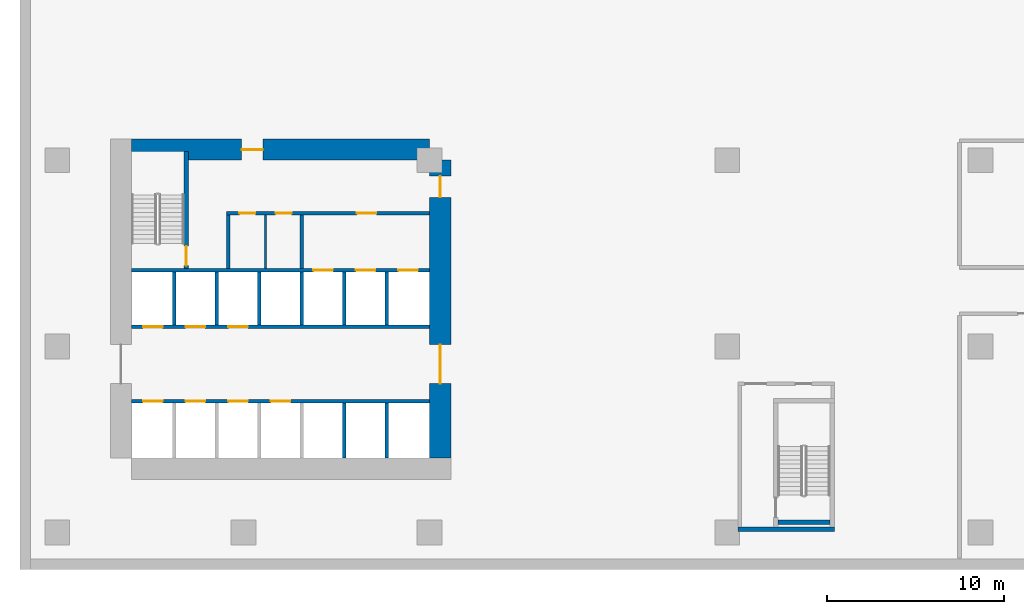
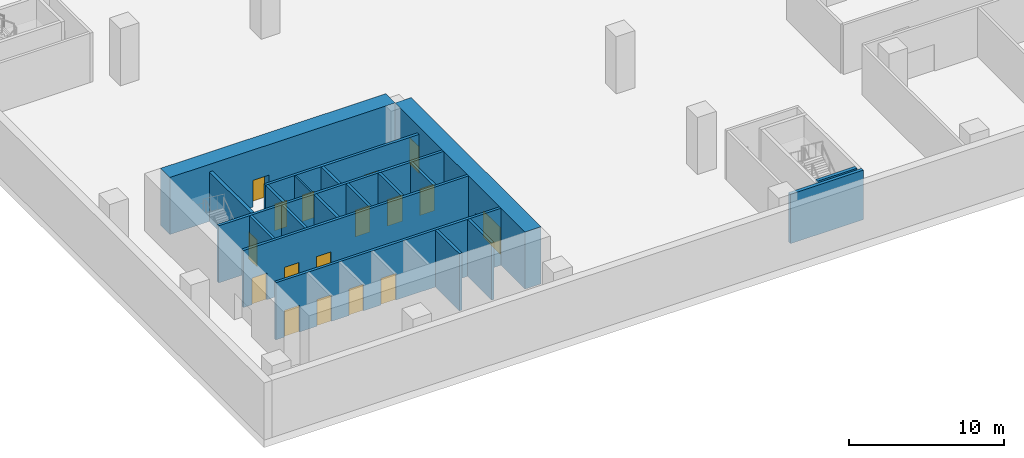
# One storey, part 2 of 12: 20 walls, 17 doors, 17 openings.
"""IFC4 building model written with IfcOpenShell, lengths in metres."""

from ifc_helpers import new_model, si_unit, direction, frame, frame_2d, origin, place, context, subcontext, project, spatial, rectangle, extrude, source, transform, mapped, material, layer, layer_set, type_object, element, fill, save


model = new_model("IFC4")

# Units and contexts
model_context = context("Model", 3, precision=1e-05, world=origin(), true_north=direction((0.0, 1.0)))
body_context = subcontext(model_context, "Body", "Model", "MODEL_VIEW")
ifc_project = project(units=[si_unit("LENGTHUNIT", "METRE"), si_unit("AREAUNIT", "SQUARE_METRE"), si_unit("VOLUMEUNIT", "CUBIC_METRE"), si_unit("PLANEANGLEUNIT", "RADIAN"), si_unit("MASSUNIT", "GRAM", prefix="KILO")], contexts=[model_context])

# Site, building, storey
site_placement = place(None, origin())
site = spatial("IfcSite", under=ifc_project, at=site_placement, CompositionType="ELEMENT")
building_placement = place(site_placement, origin())
building = spatial("IfcBuilding", under=site, at=building_placement, Name="Aurelian Terraces", CompositionType="ELEMENT")
storey_placement = place(building_placement, frame((0.0, 0.0, -9.0)))
storey = spatial("IfcBuildingStorey", under=building, at=storey_placement, Name="B2", CompositionType="ELEMENT", Elevation=-9.0)

# Wall, openings, doors
ifc_material_1 = material(Name="Concrete fc' 83 MPa", Category="concrete")
ifc_layer_1 = layer(ifc_material_1, 1.2)
ifc_layer_set_1 = layer_set([ifc_layer_1], Name="CORE WALL 1200 FC83")
wall_type_1 = type_object("IfcWallType", Name="CORE WALL 1200 FC83", PredefinedType="SHEAR", material=ifc_layer_set_1)
shared_shape_1 = source(origin(), body_context, "Body", "SweptSolid", [
    extrude(rectangle(XDim=16.8, YDim=1.2, at=frame_2d((8.4, 0.0))), origin(), (0.0, 0.0, 1.0), 4.5),
])
wall_1_placement = place(storey_placement, frame((21.6, 4.2, 0.0), z_axis=(0.0, 0.0, 1.0), x_axis=(0.0, 1.0, 0.0)))
wall_1 = element("IfcWall", 1, at=wall_1_placement, inside=storey, type_object=wall_type_1, Name="Core wall E B2", PredefinedType="SHEAR", context=body_context, shape_type="MappedRepresentation", body=[
    mapped(shared_shape_1, transform((0.0, 0.0, 0.0), scale=1.0)),
])
shared_shape_2 = source(origin(), body_context, "Body", "SweptSolid", [
    extrude(rectangle(XDim=2.2, YDim=2.1, at=frame_2d((1.1, 1.05))), frame((0.0, 0.61, 0.0), z_axis=(0.0, -1.0, 0.0), x_axis=(1.0, 0.0, 0.0)), (0.0, 0.0, 1.0), 1.22),
])
opening_1_placement = place(wall_1_placement, frame((4.2, 0.0, 0.0)))
opening_1 = element("IfcOpeningElement", 2, at=opening_1_placement, cuts=wall_1, Name="Opening 60120", PredefinedType="OPENING", context=body_context, shape_type="MappedRepresentation", body=[
    mapped(shared_shape_2, transform((0.0, 0.0, 0.0), scale=1.0)),
])
shared_shape_3 = source(origin(), body_context, "Body", "SweptSolid", [
    extrude(rectangle(XDim=1.2, YDim=2.1, at=frame_2d((0.6, 1.05))), frame((0.0, 0.61, 0.0), z_axis=(0.0, -1.0, 0.0), x_axis=(1.0, 0.0, 0.0)), (0.0, 0.0, 1.0), 1.22),
])
opening_2_placement = place(wall_1_placement, frame((14.7, 0.0, 0.0)))
opening_2 = element("IfcOpeningElement", 3, at=opening_2_placement, cuts=wall_1, Name="Opening 60123", PredefinedType="OPENING", context=body_context, shape_type="MappedRepresentation", body=[
    mapped(shared_shape_3, transform((0.0, 0.0, 0.0), scale=1.0)),
])
ifc_material_2 = material(Name="Steel door leaf", Category="steel")
door_type_1 = type_object("IfcDoorType", Name="Core fire door 1200x2100", OperationType="SINGLE_SWING_LEFT", PredefinedType="DOOR", material=ifc_material_2)
shared_shape_4 = source(origin(), body_context, "Body", "SweptSolid", [
    extrude(rectangle(XDim=1.2, YDim=2.1, at=frame_2d((0.6, 1.05))), frame((0.0, 0.025, 0.0), z_axis=(0.0, -1.0, 0.0), x_axis=(1.0, 0.0, 0.0)), (0.0, 0.0, 1.0), 0.05),
])
door_1_placement = place(opening_2_placement, origin())
door_1 = element("IfcDoor", 4, at=door_1_placement, inside=storey, type_object=door_type_1, Name="Core door 60123", OperationType="SINGLE_SWING_LEFT", OverallHeight=2.1, OverallWidth=1.2, PredefinedType="DOOR", context=body_context, shape_type="MappedRepresentation", body=[
    mapped(shared_shape_4, transform((0.0, 0.0, 0.0), scale=1.0)),
])
fill(opening_2, door_1)
door_type_2 = type_object("IfcDoorType", Name="Core double door 2200x2100", OperationType="DOUBLE_DOOR_SINGLE_SWING", PredefinedType="DOOR", material=ifc_material_2)
shared_shape_5 = source(origin(), body_context, "Body", "SweptSolid", [
    extrude(rectangle(XDim=2.2, YDim=2.1, at=frame_2d((1.1, 1.05))), frame((0.0, 0.025, 0.0), z_axis=(0.0, -1.0, 0.0), x_axis=(1.0, 0.0, 0.0)), (0.0, 0.0, 1.0), 0.05),
])
door_2_placement = place(opening_1_placement, origin())
door_2 = element("IfcDoor", 5, at=door_2_placement, inside=storey, type_object=door_type_2, Name="Core door 60120", OperationType="DOUBLE_DOOR_SINGLE_SWING", OverallHeight=2.1, OverallWidth=2.2, PredefinedType="DOOR", context=body_context, shape_type="MappedRepresentation", body=[
    mapped(shared_shape_5, transform((0.0, 0.0, 0.0), scale=1.0)),
])
fill(opening_1, door_2)

# Wall, opening, door
wall_2_placement = place(storey_placement, frame((4.2, 21.6, 0.0), z_axis=(0.0, 0.0, 1.0), x_axis=(1.0, 0.0, 0.0)))
wall_2 = element("IfcWall", 6, at=wall_2_placement, inside=storey, type_object=wall_type_1, Name="Core wall N B2", PredefinedType="SHEAR", context=body_context, shape_type="MappedRepresentation", body=[
    mapped(shared_shape_1, transform((0.0, 0.0, 0.0), scale=1.0)),
])
opening_3_placement = place(wall_2_placement, frame((6.2, 0.0, 0.0)))
opening_3 = element("IfcOpeningElement", 7, at=opening_3_placement, cuts=wall_2, Name="Opening 60122", PredefinedType="OPENING", context=body_context, shape_type="MappedRepresentation", body=[
    mapped(shared_shape_3, transform((0.0, 0.0, 0.0), scale=1.0)),
])
door_type_3 = type_object("IfcDoorType", Name="Core fire door 1200x2100 right", OperationType="SINGLE_SWING_RIGHT", PredefinedType="DOOR", material=ifc_material_2)
door_3_placement = place(opening_3_placement, origin())
door_3 = element("IfcDoor", 8, at=door_3_placement, inside=storey, type_object=door_type_3, Name="Core door 60122", OperationType="SINGLE_SWING_RIGHT", OverallHeight=2.1, OverallWidth=1.2, PredefinedType="DOOR", context=body_context, shape_type="MappedRepresentation", body=[
    mapped(shared_shape_4, transform((0.0, 0.0, 0.0), scale=1.0)),
])
fill(opening_3, door_3)

# Walls
ifc_material_3 = material(Name="Concrete fc' 40 MPa", Category="concrete")
ifc_layer_2 = layer(ifc_material_3, 0.2)
ifc_layer_set_2 = layer_set([ifc_layer_2], Name="Lift shaft wall 200")
wall_type_2 = type_object("IfcWallType", Name="Lift shaft wall 200", PredefinedType="SOLIDWALL", material=ifc_layer_set_2)
shared_shape_6 = source(origin(), body_context, "Body", "SweptSolid", [
    extrude(rectangle(XDim=3.1, YDim=0.2, at=frame_2d((1.55, 0.0))), origin(), (0.0, 0.0, 1.0), 4.5),
])
for number, where, z_axis, x_axis, name in (
    (9, (16.2, 4.2, 0.0), (0.0, 0.0, 1.0), (0.0, 1.0, 0.0), "B2 core wall CD-A5"),
    (10, (18.6, 4.2, 0.0), (0.0, 0.0, 1.0), (0.0, 1.0, 0.0), "B2 core wall CD-A6"),
):
    element("IfcWall", number, at=place(storey_placement, frame(where, z_axis=z_axis, x_axis=x_axis)), inside=storey, type_object=wall_type_2, Name=name, PredefinedType="SOLIDWALL", context=body_context, shape_type="MappedRepresentation", body=[
        mapped(shared_shape_6, transform((0.0, 0.0, 0.0), scale=1.0)),
    ])
shared_shape_7 = source(origin(), body_context, "Body", "SweptSolid", [
    extrude(rectangle(XDim=3.0, YDim=0.2, at=frame_2d((1.5, 0.0))), origin(), (0.0, 0.0, 1.0), 4.5),
])
for number, where, z_axis, x_axis, name in (
    (11, (6.6, 11.7, 0.0), (0.0, 0.0, 1.0), (0.0, 1.0, 0.0), "B2 core wall CD-B1"),
    (12, (9.0, 11.7, 0.0), (0.0, 0.0, 1.0), (0.0, 1.0, 0.0), "B2 core wall CD-B2"),
    (13, (11.4, 11.7, 0.0), (0.0, 0.0, 1.0), (0.0, 1.0, 0.0), "B2 core wall CD-B3"),
    (14, (13.8, 11.7, 0.0), (0.0, 0.0, 1.0), (0.0, 1.0, 0.0), "B2 core wall CD-B4"),
    (15, (16.2, 11.7, 0.0), (0.0, 0.0, 1.0), (0.0, 1.0, 0.0), "B2 core wall CD-B5"),
    (16, (18.6, 11.7, 0.0), (0.0, 0.0, 1.0), (0.0, 1.0, 0.0), "B2 core wall CD-B6"),
):
    element("IfcWall", number, at=place(storey_placement, frame(where, z_axis=z_axis, x_axis=x_axis)), inside=storey, type_object=wall_type_2, Name=name, PredefinedType="SOLIDWALL", context=body_context, shape_type="MappedRepresentation", body=[
        mapped(shared_shape_7, transform((0.0, 0.0, 0.0), scale=1.0)),
    ])

# Wall, openings, doors
shared_shape_8 = source(origin(), body_context, "Body", "SweptSolid", [
    extrude(rectangle(XDim=16.8, YDim=0.2, at=frame_2d((8.4, 0.0))), origin(), (0.0, 0.0, 1.0), 4.5),
])
wall_3_placement = place(storey_placement, frame((4.2, 7.4, 0.0), z_axis=(0.0, 0.0, 1.0), x_axis=(1.0, 0.0, 0.0)))
wall_3 = element("IfcWall", 17, at=wall_3_placement, inside=storey, type_object=wall_type_2, Name="B2 core wall CF-AF1", PredefinedType="SOLIDWALL", context=body_context, shape_type="MappedRepresentation", body=[
    mapped(shared_shape_8, transform((0.0, 0.0, 0.0), scale=1.0)),
])
shared_shape_9 = source(origin(), body_context, "Body", "SweptSolid", [
    extrude(rectangle(XDim=1.1, YDim=2.1, at=frame_2d((0.55, 1.05))), frame((0.0, 0.11, 0.0), z_axis=(0.0, -1.0, 0.0), x_axis=(1.0, 0.0, 0.0)), (0.0, 0.0, 1.0), 0.22),
])
opening_4_placement = place(wall_3_placement, frame((0.65, 0.0, 0.0)))
opening_4 = element("IfcOpeningElement", 18, at=opening_4_placement, cuts=wall_3, Name="Opening 60100", PredefinedType="OPENING", context=body_context, shape_type="MappedRepresentation", body=[
    mapped(shared_shape_9, transform((0.0, 0.0, 0.0), scale=1.0)),
])
opening_5_placement = place(wall_3_placement, frame((3.05, 0.0, 0.0)))
opening_5 = element("IfcOpeningElement", 19, at=opening_5_placement, cuts=wall_3, Name="Opening 60101", PredefinedType="OPENING", context=body_context, shape_type="MappedRepresentation", body=[
    mapped(shared_shape_9, transform((0.0, 0.0, 0.0), scale=1.0)),
])
opening_6_placement = place(wall_3_placement, frame((5.45, 0.0, 0.0)))
opening_6 = element("IfcOpeningElement", 20, at=opening_6_placement, cuts=wall_3, Name="Opening 60102", PredefinedType="OPENING", context=body_context, shape_type="MappedRepresentation", body=[
    mapped(shared_shape_9, transform((0.0, 0.0, 0.0), scale=1.0)),
])
opening_7_placement = place(wall_3_placement, frame((7.85, 0.0, 0.0)))
opening_7 = element("IfcOpeningElement", 21, at=opening_7_placement, cuts=wall_3, Name="Opening 60103", PredefinedType="OPENING", context=body_context, shape_type="MappedRepresentation", body=[
    mapped(shared_shape_9, transform((0.0, 0.0, 0.0), scale=1.0)),
])
ifc_material_4 = material(Name="Stainless steel", Category="steel")
door_type_4 = type_object("IfcDoorType", Name="Lift landing door 1100x2100", OperationType="SLIDING_TO_LEFT", PredefinedType="DOOR", material=ifc_material_4)
shared_shape_10 = source(origin(), body_context, "Body", "SweptSolid", [
    extrude(rectangle(XDim=1.1, YDim=2.1, at=frame_2d((0.55, 1.05))), frame((0.0, 0.025, 0.0), z_axis=(0.0, -1.0, 0.0), x_axis=(1.0, 0.0, 0.0)), (0.0, 0.0, 1.0), 0.05),
])
door_4_placement = place(opening_4_placement, origin())
door_4 = element("IfcDoor", 22, at=door_4_placement, inside=storey, type_object=door_type_4, Name="Lift landing door LL1 B2", OperationType="SLIDING_TO_LEFT", OverallHeight=2.1, OverallWidth=1.1, PredefinedType="DOOR", context=body_context, shape_type="MappedRepresentation", body=[
    mapped(shared_shape_10, transform((0.0, 0.0, 0.0), scale=1.0)),
])
fill(opening_4, door_4)
door_5_placement = place(opening_5_placement, origin())
door_5 = element("IfcDoor", 23, at=door_5_placement, inside=storey, type_object=door_type_4, Name="Lift landing door LL2 B2", OperationType="SLIDING_TO_LEFT", OverallHeight=2.1, OverallWidth=1.1, PredefinedType="DOOR", context=body_context, shape_type="MappedRepresentation", body=[
    mapped(shared_shape_10, transform((0.0, 0.0, 0.0), scale=1.0)),
])
fill(opening_5, door_5)
door_6_placement = place(opening_6_placement, origin())
door_6 = element("IfcDoor", 24, at=door_6_placement, inside=storey, type_object=door_type_4, Name="Lift landing door LL3 B2", OperationType="SLIDING_TO_LEFT", OverallHeight=2.1, OverallWidth=1.1, PredefinedType="DOOR", context=body_context, shape_type="MappedRepresentation", body=[
    mapped(shared_shape_10, transform((0.0, 0.0, 0.0), scale=1.0)),
])
fill(opening_6, door_6)
door_7_placement = place(opening_7_placement, origin())
door_7 = element("IfcDoor", 25, at=door_7_placement, inside=storey, type_object=door_type_4, Name="Lift landing door LL4 B2", OperationType="SLIDING_TO_LEFT", OverallHeight=2.1, OverallWidth=1.1, PredefinedType="DOOR", context=body_context, shape_type="MappedRepresentation", body=[
    mapped(shared_shape_10, transform((0.0, 0.0, 0.0), scale=1.0)),
])
fill(opening_7, door_7)

wall_4_placement = place(storey_placement, frame((4.2, 11.6, 0.0), z_axis=(0.0, 0.0, 1.0), x_axis=(1.0, 0.0, 0.0)))
wall_4 = element("IfcWall", 26, at=wall_4_placement, inside=storey, type_object=wall_type_2, Name="B2 core wall CF-BF1", PredefinedType="SOLIDWALL", context=body_context, shape_type="MappedRepresentation", body=[
    mapped(shared_shape_8, transform((0.0, 0.0, 0.0), scale=1.0)),
])
opening_8_placement = place(wall_4_placement, frame((0.65, 0.0, 0.0)))
opening_8 = element("IfcOpeningElement", 27, at=opening_8_placement, cuts=wall_4, Name="Opening 60104", PredefinedType="OPENING", context=body_context, shape_type="MappedRepresentation", body=[
    mapped(shared_shape_9, transform((0.0, 0.0, 0.0), scale=1.0)),
])
opening_9_placement = place(wall_4_placement, frame((3.05, 0.0, 0.0)))
opening_9 = element("IfcOpeningElement", 28, at=opening_9_placement, cuts=wall_4, Name="Opening 60105", PredefinedType="OPENING", context=body_context, shape_type="MappedRepresentation", body=[
    mapped(shared_shape_9, transform((0.0, 0.0, 0.0), scale=1.0)),
])
opening_10_placement = place(wall_4_placement, frame((5.45, 0.0, 0.0)))
opening_10 = element("IfcOpeningElement", 29, at=opening_10_placement, cuts=wall_4, Name="Opening 60106", PredefinedType="OPENING", context=body_context, shape_type="MappedRepresentation", body=[
    mapped(shared_shape_9, transform((0.0, 0.0, 0.0), scale=1.0)),
])
door_8_placement = place(opening_8_placement, origin())
door_8 = element("IfcDoor", 30, at=door_8_placement, inside=storey, type_object=door_type_4, Name="Lift landing door LL5 B2", OperationType="SLIDING_TO_LEFT", OverallHeight=2.1, OverallWidth=1.1, PredefinedType="DOOR", context=body_context, shape_type="MappedRepresentation", body=[
    mapped(shared_shape_10, transform((0.0, 0.0, 0.0), scale=1.0)),
])
fill(opening_8, door_8)
door_9_placement = place(opening_9_placement, origin())
door_9 = element("IfcDoor", 31, at=door_9_placement, inside=storey, type_object=door_type_4, Name="Lift landing door LL6 B2", OperationType="SLIDING_TO_LEFT", OverallHeight=2.1, OverallWidth=1.1, PredefinedType="DOOR", context=body_context, shape_type="MappedRepresentation", body=[
    mapped(shared_shape_10, transform((0.0, 0.0, 0.0), scale=1.0)),
])
fill(opening_9, door_9)
door_10_placement = place(opening_10_placement, origin())
door_10 = element("IfcDoor", 32, at=door_10_placement, inside=storey, type_object=door_type_4, Name="Lift landing door LL7 B2", OperationType="SLIDING_TO_LEFT", OverallHeight=2.1, OverallWidth=1.1, PredefinedType="DOOR", context=body_context, shape_type="MappedRepresentation", body=[
    mapped(shared_shape_10, transform((0.0, 0.0, 0.0), scale=1.0)),
])
fill(opening_10, door_10)

wall_5_placement = place(storey_placement, frame((4.2, 14.8, 0.0), z_axis=(0.0, 0.0, 1.0), x_axis=(1.0, 0.0, 0.0)))
wall_5 = element("IfcWall", 33, at=wall_5_placement, inside=storey, type_object=wall_type_2, Name="B2 core wall CF-BB1", PredefinedType="SOLIDWALL", context=body_context, shape_type="MappedRepresentation", body=[
    mapped(shared_shape_8, transform((0.0, 0.0, 0.0), scale=1.0)),
])
opening_11_placement = place(wall_5_placement, frame((10.25, 0.0, 0.0)))
opening_11 = element("IfcOpeningElement", 34, at=opening_11_placement, cuts=wall_5, Name="Opening 60107", PredefinedType="OPENING", context=body_context, shape_type="MappedRepresentation", body=[
    mapped(shared_shape_9, transform((0.0, 0.0, 0.0), scale=1.0)),
])
opening_12_placement = place(wall_5_placement, frame((12.65, 0.0, 0.0)))
opening_12 = element("IfcOpeningElement", 35, at=opening_12_placement, cuts=wall_5, Name="Opening 60108", PredefinedType="OPENING", context=body_context, shape_type="MappedRepresentation", body=[
    mapped(shared_shape_9, transform((0.0, 0.0, 0.0), scale=1.0)),
])
opening_13_placement = place(wall_5_placement, frame((15.05, 0.0, 0.0)))
opening_13 = element("IfcOpeningElement", 36, at=opening_13_placement, cuts=wall_5, Name="Opening 60109", PredefinedType="OPENING", context=body_context, shape_type="MappedRepresentation", body=[
    mapped(shared_shape_9, transform((0.0, 0.0, 0.0), scale=1.0)),
])
door_11_placement = place(opening_11_placement, origin())
door_11 = element("IfcDoor", 37, at=door_11_placement, inside=storey, type_object=door_type_4, Name="Lift landing door F1 B2", OperationType="SLIDING_TO_LEFT", OverallHeight=2.1, OverallWidth=1.1, PredefinedType="DOOR", context=body_context, shape_type="MappedRepresentation", body=[
    mapped(shared_shape_10, transform((0.0, 0.0, 0.0), scale=1.0)),
])
fill(opening_11, door_11)
door_12_placement = place(opening_12_placement, origin())
door_12 = element("IfcDoor", 38, at=door_12_placement, inside=storey, type_object=door_type_4, Name="Lift landing door F2 B2", OperationType="SLIDING_TO_LEFT", OverallHeight=2.1, OverallWidth=1.1, PredefinedType="DOOR", context=body_context, shape_type="MappedRepresentation", body=[
    mapped(shared_shape_10, transform((0.0, 0.0, 0.0), scale=1.0)),
])
fill(opening_12, door_12)
door_13_placement = place(opening_13_placement, origin())
door_13 = element("IfcDoor", 39, at=door_13_placement, inside=storey, type_object=door_type_4, Name="Lift landing door F3 B2", OperationType="SLIDING_TO_LEFT", OverallHeight=2.1, OverallWidth=1.1, PredefinedType="DOOR", context=body_context, shape_type="MappedRepresentation", body=[
    mapped(shared_shape_10, transform((0.0, 0.0, 0.0), scale=1.0)),
])
fill(opening_13, door_13)

# Walls
ifc_material_5 = material(Name="Gypsum board on steel studs", Category="steel")
ifc_layer_3 = layer(ifc_material_5, 0.2)
ifc_layer_set_3 = layer_set([ifc_layer_3], Name="Core partition 200")
wall_type_3 = type_object("IfcWallType", Name="Core partition 200", PredefinedType="PARTITIONING", material=ifc_layer_set_3)
shared_shape_11 = source(origin(), body_context, "Body", "SweptSolid", [
    extrude(rectangle(XDim=3.0, YDim=0.2, at=frame_2d((1.5, 0.0))), origin(), (0.0, 0.0, 1.0), 3.9),
])
for number, where, z_axis, x_axis, name in (
    (40, (9.65, 14.9, 0.0), (0.0, 0.0, 1.0), (0.0, 1.0, 0.0), "B2 core wall CP-VEST"),
    (41, (13.8, 14.9, 0.0), (0.0, 0.0, 1.0), (0.0, 1.0, 0.0), "B2 core wall CP-FFL"),
):
    element("IfcWall", number, at=place(storey_placement, frame(where, z_axis=z_axis, x_axis=x_axis)), inside=storey, type_object=wall_type_3, Name=name, PredefinedType="PARTITIONING", context=body_context, shape_type="MappedRepresentation", body=[
        mapped(shared_shape_11, transform((0.0, 0.0, 0.0), scale=1.0)),
    ])
ifc_layer_4 = layer(ifc_material_3, 0.25)
ifc_layer_set_4 = layer_set([ifc_layer_4], Name="Stair enclosure wall 250")
wall_type_4 = type_object("IfcWallType", Name="Stair enclosure wall 250", PredefinedType="SOLIDWALL", material=ifc_layer_set_4)
shared_shape_12 = source(origin(), body_context, "Body", "SweptSolid", [
    extrude(rectangle(XDim=2.95, YDim=0.25, at=frame_2d((1.475, 0.0))), origin(), (0.0, 0.0, 1.0), 3.9),
])
wall_6_placement = place(storey_placement, frame((40.65, 0.575, 0.0), z_axis=(0.0, 0.0, 1.0), x_axis=(1.0, 0.0, 0.0)))
element("IfcWall", 42, at=wall_6_placement, inside=storey, type_object=wall_type_4, Name="B2 core wall ST-S2-SS", PredefinedType="SOLIDWALL", context=body_context, shape_type="MappedRepresentation", body=[
    mapped(shared_shape_12, transform((0.0, 0.0, 0.0), scale=1.0)),
])
shared_shape_13 = source(origin(), body_context, "Body", "SweptSolid", [
    extrude(rectangle(XDim=5.45, YDim=0.25, at=frame_2d((2.725, 0.0))), origin(), (0.0, 0.0, 1.0), 3.9),
])
wall_7_placement = place(storey_placement, frame((38.4, 0.175, 0.0), z_axis=(0.0, 0.0, 1.0), x_axis=(1.0, 0.0, 0.0)))
element("IfcWall", 43, at=wall_7_placement, inside=storey, type_object=wall_type_4, Name="B2 core wall ST-S2-S", PredefinedType="SOLIDWALL", context=body_context, shape_type="MappedRepresentation", body=[
    mapped(shared_shape_13, transform((0.0, 0.0, 0.0), scale=1.0)),
])

# Wall, opening, door
shared_shape_14 = source(origin(), body_context, "Body", "SweptSolid", [
    extrude(rectangle(XDim=6.6, YDim=0.25, at=frame_2d((3.3, 0.0))), origin(), (0.0, 0.0, 1.0), 3.9),
])
wall_8_placement = place(storey_placement, frame((7.275, 14.9, 0.0), z_axis=(0.0, 0.0, 1.0), x_axis=(0.0, 1.0, 0.0)))
wall_8 = element("IfcWall", 44, at=wall_8_placement, inside=storey, type_object=wall_type_4, Name="B2 core wall ST-S1-E", PredefinedType="SOLIDWALL", context=body_context, shape_type="MappedRepresentation", body=[
    mapped(shared_shape_14, transform((0.0, 0.0, 0.0), scale=1.0)),
])
shared_shape_15 = source(origin(), body_context, "Body", "SweptSolid", [
    extrude(rectangle(XDim=1.1, YDim=2.1, at=frame_2d((0.55, 1.05))), frame((0.0, 0.135, 0.0), z_axis=(0.0, -1.0, 0.0), x_axis=(1.0, 0.0, 0.0)), (0.0, 0.0, 1.0), 0.27),
])
opening_14_placement = place(wall_8_placement, frame((0.15, 0.0, 0.0)))
opening_14 = element("IfcOpeningElement", 45, at=opening_14_placement, cuts=wall_8, Name="Opening 60110", PredefinedType="OPENING", context=body_context, shape_type="MappedRepresentation", body=[
    mapped(shared_shape_15, transform((0.0, 0.0, 0.0), scale=1.0)),
])
door_type_5 = type_object("IfcDoorType", Name="Core fire door 1100x2100 right", OperationType="SINGLE_SWING_RIGHT", PredefinedType="DOOR", material=ifc_material_2)
door_14_placement = place(opening_14_placement, origin())
door_14 = element("IfcDoor", 46, at=door_14_placement, inside=storey, type_object=door_type_5, Name="Stair door 60110", OperationType="SINGLE_SWING_RIGHT", OverallHeight=2.1, OverallWidth=1.1, PredefinedType="DOOR", context=body_context, shape_type="MappedRepresentation", body=[
    mapped(shared_shape_10, transform((0.0, 0.0, 0.0), scale=1.0)),
])
fill(opening_14, door_14)

# Wall, openings, doors
shared_shape_16 = source(origin(), body_context, "Body", "SweptSolid", [
    extrude(rectangle(XDim=11.45, YDim=0.2, at=frame_2d((5.725, 0.0))), origin(), (0.0, 0.0, 1.0), 3.9),
])
wall_9_placement = place(storey_placement, frame((9.55, 18.0, 0.0), z_axis=(0.0, 0.0, 1.0), x_axis=(1.0, 0.0, 0.0)))
wall_9 = element("IfcWall", 47, at=wall_9_placement, inside=storey, type_object=wall_type_3, Name="B2 core wall CP-NORTH", PredefinedType="PARTITIONING", context=body_context, shape_type="MappedRepresentation", body=[
    mapped(shared_shape_16, transform((0.0, 0.0, 0.0), scale=1.0)),
])
shared_shape_17 = source(origin(), body_context, "Body", "SweptSolid", [
    extrude(rectangle(XDim=0.9, YDim=2.1, at=frame_2d((0.45, 1.05))), frame((0.0, 0.11, 0.0), z_axis=(0.0, -1.0, 0.0), x_axis=(1.0, 0.0, 0.0)), (0.0, 0.0, 1.0), 0.22),
])
opening_15_placement = place(wall_9_placement, frame((0.725, 0.0, 0.0)))
opening_15 = element("IfcOpeningElement", 48, at=opening_15_placement, cuts=wall_9, Name="Opening 60111", PredefinedType="OPENING", context=body_context, shape_type="MappedRepresentation", body=[
    mapped(shared_shape_17, transform((0.0, 0.0, 0.0), scale=1.0)),
])
opening_16_placement = place(wall_9_placement, frame((2.775, 0.0, 0.0)))
opening_16 = element("IfcOpeningElement", 49, at=opening_16_placement, cuts=wall_9, Name="Opening 60112", PredefinedType="OPENING", context=body_context, shape_type="MappedRepresentation", body=[
    mapped(shared_shape_17, transform((0.0, 0.0, 0.0), scale=1.0)),
])
opening_17_placement = place(wall_9_placement, frame((7.35, 0.0, 0.0)))
opening_17 = element("IfcOpeningElement", 50, at=opening_17_placement, cuts=wall_9, Name="Opening 60113", PredefinedType="OPENING", context=body_context, shape_type="MappedRepresentation", body=[
    mapped(shared_shape_9, transform((0.0, 0.0, 0.0), scale=1.0)),
])
door_type_6 = type_object("IfcDoorType", Name="Core service door 900x2100", OperationType="SINGLE_SWING_LEFT", PredefinedType="DOOR", material=ifc_material_2)
shared_shape_18 = source(origin(), body_context, "Body", "SweptSolid", [
    extrude(rectangle(XDim=0.9, YDim=2.1, at=frame_2d((0.45, 1.05))), frame((0.0, 0.025, 0.0), z_axis=(0.0, -1.0, 0.0), x_axis=(1.0, 0.0, 0.0)), (0.0, 0.0, 1.0), 0.05),
])
door_15_placement = place(opening_15_placement, origin())
door_15 = element("IfcDoor", 51, at=door_15_placement, inside=storey, type_object=door_type_6, Name="Room door 60111", OperationType="SINGLE_SWING_LEFT", OverallHeight=2.1, OverallWidth=0.9, PredefinedType="DOOR", context=body_context, shape_type="MappedRepresentation", body=[
    mapped(shared_shape_18, transform((0.0, 0.0, 0.0), scale=1.0)),
])
fill(opening_15, door_15)
door_type_7 = type_object("IfcDoorType", Name="Core service door 900x2100 right", OperationType="SINGLE_SWING_RIGHT", PredefinedType="DOOR", material=ifc_material_2)
door_16_placement = place(opening_16_placement, origin())
door_16 = element("IfcDoor", 52, at=door_16_placement, inside=storey, type_object=door_type_7, Name="Room door 60112", OperationType="SINGLE_SWING_RIGHT", OverallHeight=2.1, OverallWidth=0.9, PredefinedType="DOOR", context=body_context, shape_type="MappedRepresentation", body=[
    mapped(shared_shape_18, transform((0.0, 0.0, 0.0), scale=1.0)),
])
fill(opening_16, door_16)
door_type_8 = type_object("IfcDoorType", Name="Core fire door 1100x2100", OperationType="SINGLE_SWING_LEFT", PredefinedType="DOOR", material=ifc_material_2)
door_17_placement = place(opening_17_placement, origin())
door_17 = element("IfcDoor", 53, at=door_17_placement, inside=storey, type_object=door_type_8, Name="Ff lobby door 60113", OperationType="SINGLE_SWING_LEFT", OverallHeight=2.1, OverallWidth=1.1, PredefinedType="DOOR", context=body_context, shape_type="MappedRepresentation", body=[
    mapped(shared_shape_10, transform((0.0, 0.0, 0.0), scale=1.0)),
])
fill(opening_17, door_17)

# Wall
ifc_layer_5 = layer(ifc_material_5, 0.1)
ifc_layer_set_5 = layer_set([ifc_layer_5], Name="Core partition 100")
wall_type_5 = type_object("IfcWallType", Name="Core partition 100", PredefinedType="PARTITIONING", material=ifc_layer_set_5)
shared_shape_19 = source(origin(), body_context, "Body", "SweptSolid", [
    extrude(rectangle(XDim=3.0, YDim=0.1, at=frame_2d((1.5, 0.0))), origin(), (0.0, 0.0, 1.0), 3.9),
])
wall_10_placement = place(storey_placement, frame((11.75, 14.9, 0.0), z_axis=(0.0, 0.0, 1.0), x_axis=(0.0, 1.0, 0.0)))
element("IfcWall", 54, at=wall_10_placement, inside=storey, type_object=wall_type_5, Name="B2 core wall CP-SV1", PredefinedType="PARTITIONING", context=body_context, shape_type="MappedRepresentation", body=[
    mapped(shared_shape_19, transform((0.0, 0.0, 0.0), scale=1.0)),
])

save(model, "model.ifc")
